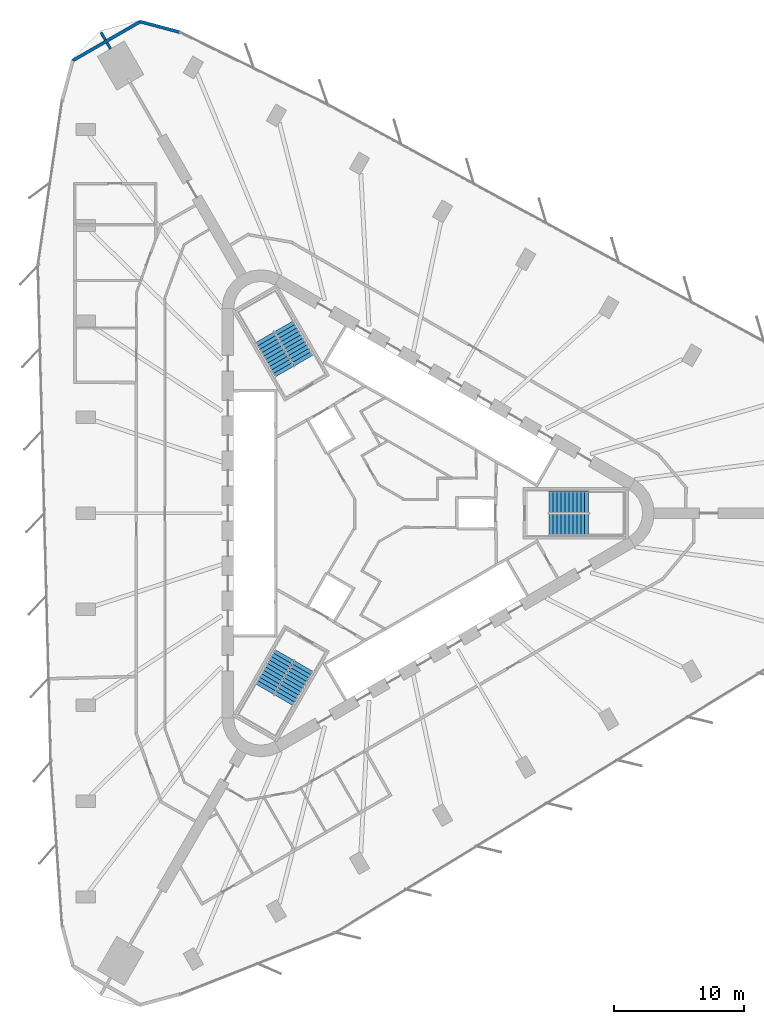
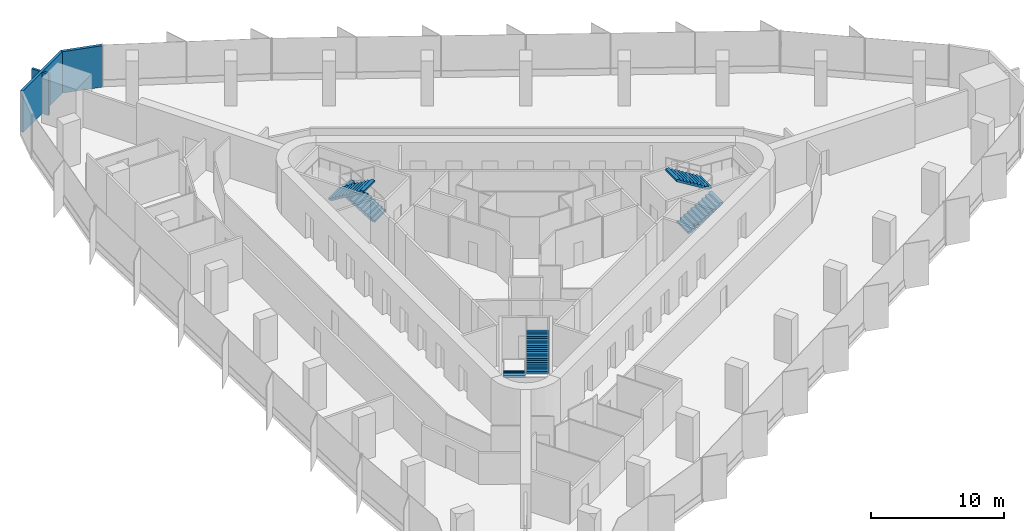
# One storey, part 13 of 14: 6 stair flights, 4 walls, 3 elements without a shape of their own.
"""IFC4 building model written with IfcOpenShell, lengths in metres."""

from ifc_helpers import new_model, si_unit, direction, frame, frame_2d, origin, place, context, subcontext, project, spatial, polyline, rectangle, outline, extrude, material, layer, layer_set, type_object, element, aggregate, save


model = new_model("IFC4")

# Units and contexts
model_context = context("Model", 3, precision=1e-05, world=origin(), true_north=direction((0.0, 1.0)))
body_context = subcontext(model_context, "Body", "Model", "MODEL_VIEW")
ifc_project = project(units=[si_unit("LENGTHUNIT", "METRE"), si_unit("AREAUNIT", "SQUARE_METRE"), si_unit("VOLUMEUNIT", "CUBIC_METRE"), si_unit("PLANEANGLEUNIT", "RADIAN"), si_unit("MASSUNIT", "GRAM", prefix="KILO")], contexts=[model_context])

# Site, building, storey
site_placement = place(None, origin())
site = spatial("IfcSite", under=ifc_project, at=site_placement, CompositionType="ELEMENT")
building_placement = place(site_placement, origin())
building = spatial("IfcBuilding", under=site, at=building_placement, Name="Tanit Gate Tower", CompositionType="ELEMENT")
storey_placement = place(building_placement, frame((0.0, 0.0, 143.89990234375)))
storey = spatial("IfcBuildingStorey", under=building, at=storey_placement, Name="L31", CompositionType="ELEMENT", Elevation=143.89990234375)

# Walls
ifc_material_1 = material(Name="Concrete C30/37 with bronze anodised aluminium cladding", Category="concrete")
ifc_layer_1 = layer(ifc_material_1, 0.239990234375)
ifc_layer_set_1 = layer_set([ifc_layer_1], Name="Facade wall bronze clad 240")
wall_type_1 = type_object("IfcWallType", Name="Facade wall bronze clad 240", PredefinedType="SOLIDWALL", material=ifc_layer_set_1)
wall_1_placement = place(storey_placement, frame((-15.37255859375, 37.065673828125, 0.0), z_axis=(0.0, 0.0, 1.0), x_axis=(-0.965928914048, 0.258807521156, 0.0)))
element("IfcWall", 1, at=wall_1_placement, inside=storey, type_object=wall_type_1, Name="Bronze-clad facade wall L31 NW.arc1", PredefinedType="SOLIDWALL", context=body_context, shape_type="SweptSolid", body=[
    extrude(rectangle(XDim=3.1318359375, YDim=0.239990234375, at=frame_2d((1.56591796875, 0.0))), origin(), (0.0, 0.0, 1.0), 3.800048828125),
])
wall_2_placement = place(storey_placement, frame((-18.397705078125, 37.876220703125, 0.0), z_axis=(0.0, 0.0, 1.0), x_axis=(-0.866037453254, -0.499979129126, 0.0)))
element("IfcWall", 2, at=wall_2_placement, inside=storey, type_object=wall_type_1, Name="Bronze-clad facade wall L31 NW.arc2", PredefinedType="SOLIDWALL", context=body_context, shape_type="SweptSolid", body=[
    extrude(rectangle(XDim=6.010498046875, YDim=0.239990234375, at=frame_2d((3.00537109375, 0.0))), origin(), (0.0, 0.0, 1.0), 3.800048828125),
])
ifc_material_2 = material(Name="Fire-rated gypsum board partition")
ifc_layer_2 = layer(ifc_material_2, 0.199951171875)
ifc_layer_set_2 = layer_set([ifc_layer_2], Name="INT-WALL-COMPARTMENT")
wall_type_2 = type_object("IfcWallType", Name="INT-WALL-COMPARTMENT", PredefinedType="PARTITIONING", material=ifc_layer_set_2)
wall_3_placement = place(storey_placement, frame((-21.4248046875, 37.049072265625, 0.0), z_axis=(0.0, 0.0, 1.0), x_axis=(0.499784885981, -0.866149564305, 0.0)))
element("IfcWall", 3, at=wall_3_placement, inside=storey, type_object=wall_type_2, Name="Wall Compartment W118", PredefinedType="PARTITIONING", context=body_context, shape_type="SweptSolid", body=[
    extrude(rectangle(XDim=0.677001953125, YDim=0.199951171875, at=frame_2d((0.33837890625, 0.0))), origin(), (0.0, 0.0, 1.0), 3.800048828125),
])
wall_4_placement = place(storey_placement, frame((-20.96630859375, 36.254638671875, 0.0), z_axis=(0.0, 0.0, 1.0), x_axis=(0.500004084281, -0.866023045711, 0.0)))
element("IfcWall", 4, at=wall_4_placement, inside=storey, type_object=wall_type_2, Name="Wall Compartment W118x1", PredefinedType="PARTITIONING", context=body_context, shape_type="SweptSolid", body=[
    extrude(rectangle(XDim=0.55029296875, YDim=0.199951171875, at=frame_2d((0.275146484375, 0.0))), origin(), (0.0, 0.0, 1.0), 3.800048828125),
])

# Stair, stair flights
ifc_material_3 = material(Name="Concrete C40/50", Category="concrete")
stair_type = type_object("IfcStairType", Name="INT-STAIR-EXIT", PredefinedType="HALF_TURN_STAIR", material=ifc_material_3)
stair_1_placement = place(storey_placement, origin())
stair_1 = element("IfcStair", 5, at=stair_1_placement, inside=storey, type_object=stair_type, Name="L31 STAIR S1", PredefinedType="HALF_TURN_STAIR")
ifc_material_4 = material(Name="Concrete C40/50", Category="concrete")
stair_flight_type = type_object("IfcStairFlightType", Name="INT-STAIR-FLIGHT", PredefinedType="STRAIGHT", material=ifc_material_4)
stair_flight_1_placement = place(storey_placement, frame((13.094970703125, -0.8525390625, 0.0), z_axis=(0.0, 0.0, 1.0), x_axis=(1.0, 0.0, 0.0)))
stair_flight_1 = element("IfcStairFlight", 6, at=stair_flight_1_placement, type_object=stair_flight_type, Name="S1 flight 1", NumberOfRisers=11, NumberOfTreads=10, PredefinedType="STRAIGHT", RiserHeight=0.186363636, TreadLength=0.3051, context=body_context, shape_type="SweptSolid", body=[
    extrude(outline(polyline([(0.0, 0.0), (0.0, 0.186279296875), (0.30517578125, 0.186279296875), (0.30517578125, 0.372802734375), (0.610107421875, 0.372802734375), (0.610107421875, 0.55908203125), (0.915283203125, 0.55908203125), (0.915283203125, 0.745361328125), (1.220458984375, 0.745361328125), (1.220458984375, 0.931884765625), (1.525390625, 0.931884765625), (1.525390625, 1.1181640625), (1.83056640625, 1.1181640625), (1.83056640625, 1.304443359375), (2.1357421875, 1.304443359375), (2.1357421875, 1.490966796875), (2.44091796875, 1.490966796875), (2.44091796875, 1.67724609375), (2.745849609375, 1.67724609375), (2.745849609375, 1.863525390625), (3.051025390625, 1.863525390625), (3.051025390625, 2.050048828125), (3.051025390625, 1.68798828125), (0.28759765625, 0.0), (0.0, 0.0)])), frame((0.0, 0.84765625, 0.0), z_axis=(0.0, -1.0, 0.0), x_axis=(1.0, 0.0, 0.0)), (0.0, 0.0, 1.0), 1.695068359375),
])
stair_flight_2_placement = place(storey_placement, frame((16.14599609375, 0.8525390625, 2.050048828125), z_axis=(0.0, 0.0, 1.0), x_axis=(-1.0, 0.0, 0.0)))
stair_flight_2 = element("IfcStairFlight", 7, at=stair_flight_2_placement, type_object=stair_flight_type, Name="S1 flight 2", NumberOfRisers=11, NumberOfTreads=10, PredefinedType="STRAIGHT", RiserHeight=0.186363636, TreadLength=0.3051, context=body_context, shape_type="SweptSolid", body=[
    extrude(outline(polyline([(0.0, 0.0), (0.0, 0.186279296875), (0.30517578125, 0.186279296875), (0.30517578125, 0.372802734375), (0.610107421875, 0.372802734375), (0.610107421875, 0.55908203125), (0.915283203125, 0.55908203125), (0.915283203125, 0.745361328125), (1.220458984375, 0.745361328125), (1.220458984375, 0.931884765625), (1.525390625, 0.931884765625), (1.525390625, 1.1181640625), (1.83056640625, 1.1181640625), (1.83056640625, 1.304443359375), (2.1357421875, 1.304443359375), (2.1357421875, 1.490966796875), (2.44091796875, 1.490966796875), (2.44091796875, 1.67724609375), (2.745849609375, 1.67724609375), (2.745849609375, 1.863525390625), (3.051025390625, 1.863525390625), (3.051025390625, 2.050048828125), (3.051025390625, 1.68798828125), (0.28759765625, 0.0), (0.0, 0.0)])), frame((0.0, 0.84765625, 0.0), z_axis=(0.0, -1.0, 0.0), x_axis=(1.0, 0.0, 0.0)), (0.0, 0.0, 1.0), 1.695068359375),
])
aggregate(stair_1, [stair_flight_1, stair_flight_2])

stair_2_placement = place(storey_placement, origin())
stair_2 = element("IfcStair", 8, at=stair_2_placement, inside=storey, type_object=stair_type, Name="L31 STAIR S2", PredefinedType="HALF_TURN_STAIR")
stair_flight_3_placement = place(storey_placement, frame((-5.808349609375, 11.766357421875, 0.0), z_axis=(0.0, 0.0, 1.0), x_axis=(-0.5, 0.866025403784, 0.0)))
stair_flight_3 = element("IfcStairFlight", 9, at=stair_flight_3_placement, type_object=stair_flight_type, Name="S2 flight 1", NumberOfRisers=11, NumberOfTreads=10, PredefinedType="STRAIGHT", RiserHeight=0.186363636, TreadLength=0.30492, context=body_context, shape_type="SweptSolid", body=[
    extrude(outline(polyline([(0.0, 0.0), (0.0, 0.186279296875), (0.304931640625, 0.186279296875), (0.304931640625, 0.372802734375), (0.60986328125, 0.372802734375), (0.60986328125, 0.55908203125), (0.914794921875, 0.55908203125), (0.914794921875, 0.745361328125), (1.2197265625, 0.745361328125), (1.2197265625, 0.931884765625), (1.524658203125, 0.931884765625), (1.524658203125, 1.1181640625), (1.82958984375, 1.1181640625), (1.82958984375, 1.304443359375), (2.134521484375, 1.304443359375), (2.134521484375, 1.490966796875), (2.439453125, 1.490966796875), (2.439453125, 1.67724609375), (2.744384765625, 1.67724609375), (2.744384765625, 1.863525390625), (3.04931640625, 1.863525390625), (3.04931640625, 2.050048828125), (3.04931640625, 1.68798828125), (0.287353515625, 0.0), (0.0, 0.0)])), frame((0.0, 0.84716796875, 0.0), z_axis=(0.0, -1.0, 0.0), x_axis=(1.0, 0.0, 0.0)), (0.0, 0.0, 1.0), 1.694091796875),
])
stair_flight_4_placement = place(storey_placement, frame((-8.810302734375, 13.553955078125, 2.050048828125), z_axis=(0.0, 0.0, 1.0), x_axis=(0.5, -0.866025403784, 0.0)))
stair_flight_4 = element("IfcStairFlight", 10, at=stair_flight_4_placement, type_object=stair_flight_type, Name="S2 flight 2", NumberOfRisers=11, NumberOfTreads=10, PredefinedType="STRAIGHT", RiserHeight=0.186363636, TreadLength=0.30492, context=body_context, shape_type="SweptSolid", body=[
    extrude(outline(polyline([(0.0, 0.0), (0.0, 0.186279296875), (0.304931640625, 0.186279296875), (0.304931640625, 0.372802734375), (0.60986328125, 0.372802734375), (0.60986328125, 0.55908203125), (0.914794921875, 0.55908203125), (0.914794921875, 0.745361328125), (1.2197265625, 0.745361328125), (1.2197265625, 0.931884765625), (1.524658203125, 0.931884765625), (1.524658203125, 1.1181640625), (1.82958984375, 1.1181640625), (1.82958984375, 1.304443359375), (2.134521484375, 1.304443359375), (2.134521484375, 1.490966796875), (2.439453125, 1.490966796875), (2.439453125, 1.67724609375), (2.744384765625, 1.67724609375), (2.744384765625, 1.863525390625), (3.04931640625, 1.863525390625), (3.04931640625, 2.050048828125), (3.04931640625, 1.68798828125), (0.287353515625, 0.0), (0.0, 0.0)])), frame((0.0, 0.84716796875, 0.0), z_axis=(0.0, -1.0, 0.0), x_axis=(1.0, 0.0, 0.0)), (0.0, 0.0, 1.0), 1.694091796875),
])
aggregate(stair_2, [stair_flight_3, stair_flight_4])

stair_3_placement = place(storey_placement, origin())
stair_3 = element("IfcStair", 11, at=stair_3_placement, inside=storey, type_object=stair_type, Name="L31 STAIR S3", PredefinedType="HALF_TURN_STAIR")
stair_flight_5_placement = place(storey_placement, frame((-7.285888671875, -10.914306640625, 0.0), z_axis=(0.0, 0.0, 1.0), x_axis=(-0.5, -0.866025403784, 0.0)))
stair_flight_5 = element("IfcStairFlight", 12, at=stair_flight_5_placement, type_object=stair_flight_type, Name="S3 flight 1", NumberOfRisers=11, NumberOfTreads=10, PredefinedType="STRAIGHT", RiserHeight=0.186363636, TreadLength=0.3051, context=body_context, shape_type="SweptSolid", body=[
    extrude(outline(polyline([(0.0, 0.0), (0.0, 0.186279296875), (0.30517578125, 0.186279296875), (0.30517578125, 0.372802734375), (0.610107421875, 0.372802734375), (0.610107421875, 0.55908203125), (0.915283203125, 0.55908203125), (0.915283203125, 0.745361328125), (1.220458984375, 0.745361328125), (1.220458984375, 0.931884765625), (1.525390625, 0.931884765625), (1.525390625, 1.1181640625), (1.83056640625, 1.1181640625), (1.83056640625, 1.304443359375), (2.1357421875, 1.304443359375), (2.1357421875, 1.490966796875), (2.44091796875, 1.490966796875), (2.44091796875, 1.67724609375), (2.745849609375, 1.67724609375), (2.745849609375, 1.863525390625), (3.051025390625, 1.863525390625), (3.051025390625, 2.050048828125), (3.051025390625, 1.68798828125), (0.28759765625, 0.0), (0.0, 0.0)])), frame((0.0, 0.84765625, 0.0), z_axis=(0.0, -1.0, 0.0), x_axis=(1.0, 0.0, 0.0)), (0.0, 0.0, 1.0), 1.695068359375),
])
stair_flight_6_placement = place(storey_placement, frame((-7.334716796875, -14.4091796875, 2.050048828125), z_axis=(0.0, 0.0, 1.0), x_axis=(0.5, 0.866025403784, 0.0)))
stair_flight_6 = element("IfcStairFlight", 13, at=stair_flight_6_placement, type_object=stair_flight_type, Name="S3 flight 2", NumberOfRisers=11, NumberOfTreads=10, PredefinedType="STRAIGHT", RiserHeight=0.186363636, TreadLength=0.3051, context=body_context, shape_type="SweptSolid", body=[
    extrude(outline(polyline([(0.0, 0.0), (0.0, 0.186279296875), (0.30517578125, 0.186279296875), (0.30517578125, 0.372802734375), (0.610107421875, 0.372802734375), (0.610107421875, 0.55908203125), (0.915283203125, 0.55908203125), (0.915283203125, 0.745361328125), (1.220458984375, 0.745361328125), (1.220458984375, 0.931884765625), (1.525390625, 0.931884765625), (1.525390625, 1.1181640625), (1.83056640625, 1.1181640625), (1.83056640625, 1.304443359375), (2.1357421875, 1.304443359375), (2.1357421875, 1.490966796875), (2.44091796875, 1.490966796875), (2.44091796875, 1.67724609375), (2.745849609375, 1.67724609375), (2.745849609375, 1.863525390625), (3.051025390625, 1.863525390625), (3.051025390625, 2.050048828125), (3.051025390625, 1.68798828125), (0.28759765625, 0.0), (0.0, 0.0)])), frame((0.0, 0.84765625, 0.0), z_axis=(0.0, -1.0, 0.0), x_axis=(1.0, 0.0, 0.0)), (0.0, 0.0, 1.0), 1.695068359375),
])
aggregate(stair_3, [stair_flight_5, stair_flight_6])

save(model, "model.ifc")
